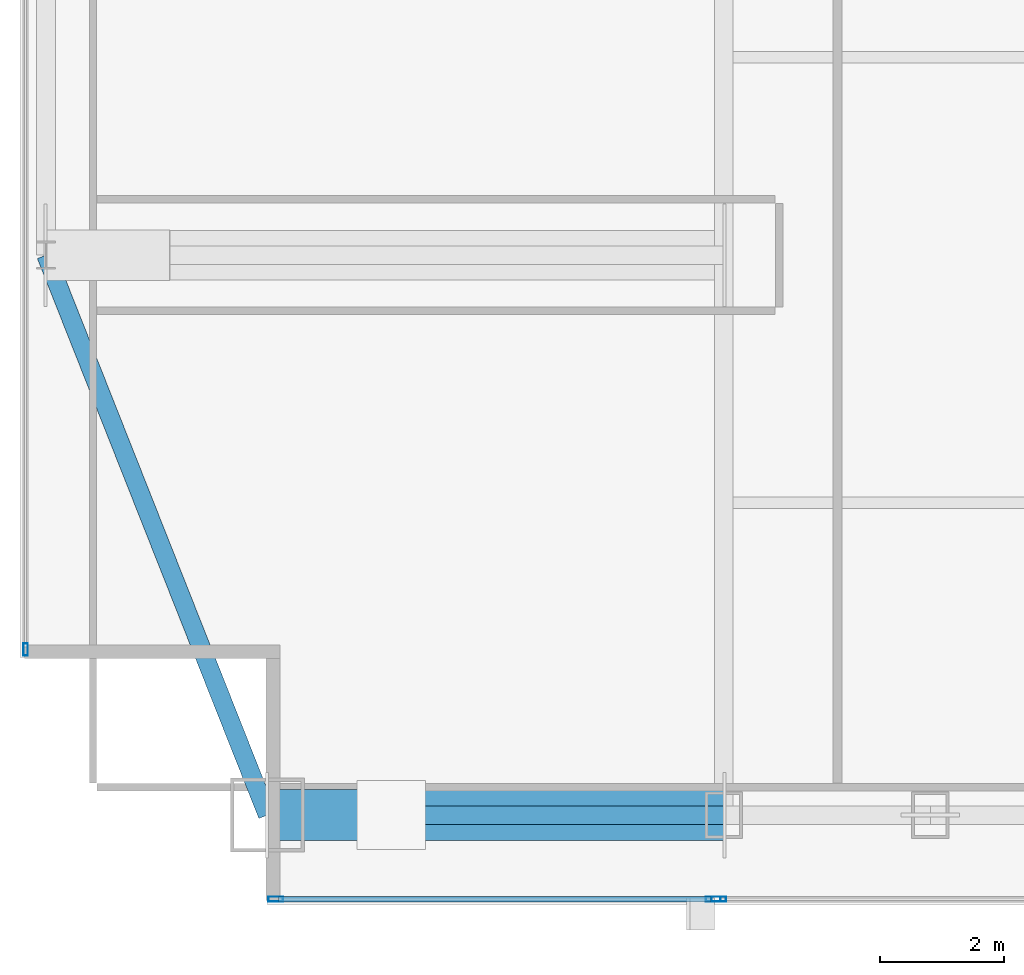
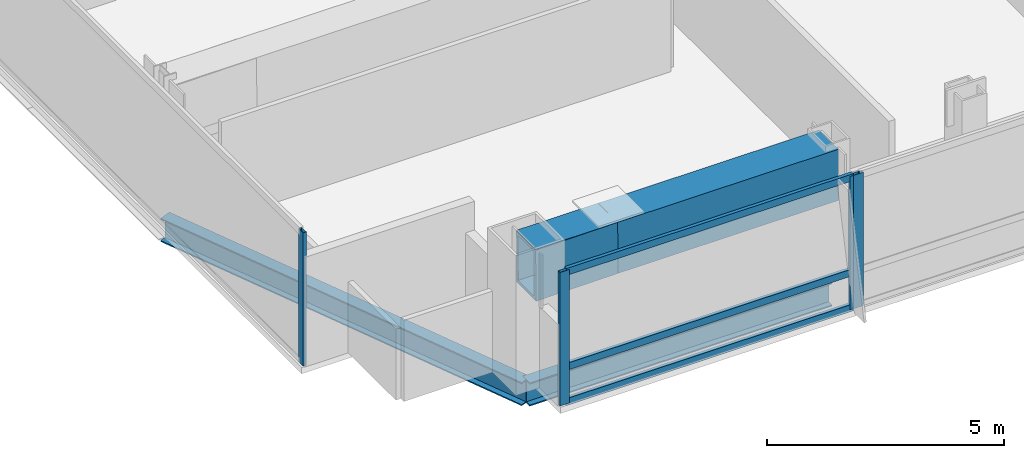
# One storey, part 5 of 26: 7 members, 4 beams, 3 elements without a shape of their own.
"""IFC4 building model written with IfcOpenShell, lengths in metres."""

from ifc_helpers import new_model, si_unit, direction, frame, origin, origin_2d, place, context, subcontext, project, spatial, hollow_rectangle, i_section, extrude, material, material_profile, profile_set, type_object, element, aggregate, save


model = new_model("IFC4")

# Units and contexts
model_context = context("Model", 3, precision=1e-05, world=origin(), true_north=direction((0.0, 1.0)))
body_context = subcontext(model_context, "Body", "Model", "MODEL_VIEW")
ifc_project = project(units=[si_unit("LENGTHUNIT", "METRE"), si_unit("AREAUNIT", "SQUARE_METRE"), si_unit("VOLUMEUNIT", "CUBIC_METRE"), si_unit("PLANEANGLEUNIT", "RADIAN"), si_unit("MASSUNIT", "GRAM", prefix="KILO")], contexts=[model_context])

# Site, building, storey
site_placement = place(None, origin())
site = spatial("IfcSite", under=ifc_project, at=site_placement, CompositionType="ELEMENT")
building_placement = place(site_placement, origin())
building = spatial("IfcBuilding", under=site, at=building_placement, Name="Khoronbel Lancet Exchange", CompositionType="ELEMENT")
storey_placement = place(building_placement, frame((0.0, 0.0, 235.39990234375)))
storey = spatial("IfcBuildingStorey", under=building, at=storey_placement, Name="L60", CompositionType="ELEMENT", Elevation=235.39990234375)

# Beams
ifc_material_1 = material(Name="Steel S355", Category="steel")
ifc_material_profile_1 = material_profile(ifc_material_1, i_section(OverallWidth=0.300048828125, OverallDepth=0.60009765625, WebThickness=0.015380859375, FlangeThickness=0.030029296875, at=origin_2d()), Name="HEB 600")
ifc_profile_set_1 = profile_set([ifc_material_profile_1], Name="Steel S355")
beam_type_1 = type_object("IfcBeamType", Name="BM-BSP2", PredefinedType="SPANDREL", material=ifc_profile_set_1)
beam_1_placement = place(storey_placement, frame((10.85009765625, 10.14990234375, -0.4599609375), z_axis=(1.0, 0.0, 0.0), x_axis=(0.0, 1.0, 0.0)))
element("IfcBeam", 1, at=beam_1_placement, inside=storey, type_object=beam_type_1, Name="Level L60 perimeter spandrel beam SP01", PredefinedType="SPANDREL", context=body_context, shape_type="SweptSolid", body=[
    extrude(i_section(OverallWidth=0.300048828125, OverallDepth=0.60009765625, WebThickness=0.015380859375, FlangeThickness=0.030029296875, at=origin_2d()), origin(), (0.0, 0.0, 1.0), 7.375),
])
beam_2_placement = place(storey_placement, frame((7.27001953125, 19.199951171875, -0.4599609375), z_axis=(0.367850095026, -0.92988510451, 0.0), x_axis=(0.92988510451, 0.367850095026, 0.0)))
element("IfcBeam", 2, at=beam_2_placement, inside=storey, type_object=beam_type_1, Name="Level L60 perimeter spandrel beam SP21", PredefinedType="SPANDREL", context=body_context, shape_type="SweptSolid", body=[
    extrude(i_section(OverallWidth=0.300048828125, OverallDepth=0.60009765625, WebThickness=0.015380859375, FlangeThickness=0.030029296875, at=origin_2d()), origin(), (0.0, 0.0, 1.0), 9.732421875),
])
ifc_material_2 = material(Name="Steel S460", Category="steel")
ifc_material_profile_2 = material_profile(ifc_material_2, hollow_rectangle(XDim=0.820068359375, YDim=1.320068359375, WallThickness=0.070068359375, at=origin_2d()), Name="BOX 820x1320x70")
ifc_profile_set_2 = profile_set([ifc_material_profile_2], Name="Steel S460")
beam_type_2 = type_object("IfcBeamType", Name="BM-TG4", PredefinedType="USERDEFINED", material=ifc_profile_set_2)
beam_3_placement = place(storey_placement, frame((10.85009765625, 10.14990234375, 2.760009765625), z_axis=(0.99994990606, 0.0, 0.010009264196), x_axis=(0.0, 1.0, 0.0)))
element("IfcBeam", 3, at=beam_3_placement, inside=storey, type_object=beam_type_2, Name="Setback transfer knee-brace girder L60-MC-SW", ObjectType="TRANSFER GIRDER", PredefinedType="USERDEFINED", context=body_context, shape_type="SweptSolid", body=[
    extrude(hollow_rectangle(XDim=0.820068359375, YDim=1.320068359375, WallThickness=0.070068359375, at=origin_2d()), origin(), (0.0, 0.0, 1.0), 2.0),
])
beam_4_placement = place(storey_placement, frame((10.85009765625, 10.14990234375, 2.780029296875), z_axis=(1.0, 0.0, 0.0), x_axis=(0.0, 1.0, 0.0)))
element("IfcBeam", 4, at=beam_4_placement, inside=storey, type_object=beam_type_2, Name="Corner mega-column setback transfer girder L60-SW", ObjectType="TRANSFER GIRDER", PredefinedType="USERDEFINED", context=body_context, shape_type="SweptSolid", body=[
    extrude(hollow_rectangle(XDim=0.820068359375, YDim=1.320068359375, WallThickness=0.070068359375, at=origin_2d()), origin(), (0.0, 0.0, 1.0), 7.375),
])

# Curtain wall, members
ifc_material_3 = material(Name="Low-E Solar Control Insulating Glass", Category="glass")
curtain_wall_type_1 = type_object("IfcCurtainWallType", Name="CW-3", PredefinedType="NOTDEFINED", material=ifc_material_3)
curtain_wall_1_placement = place(storey_placement, origin())
curtain_wall_1 = element("IfcCurtainWall", 5, at=curtain_wall_1_placement, inside=storey, type_object=curtain_wall_type_1, Name="Unitised curtain wall CW-L60-SWV", PredefinedType="NOTDEFINED")
ifc_material_4 = material(Name="Bronze-Anodised Aluminium 6063-T6", Category="aluminium")
ifc_material_profile_3 = material_profile(ifc_material_4, hollow_rectangle(XDim=0.0849609375, YDim=0.239990234375, WallThickness=0.006103515625, at=origin_2d()), Name="ALU MULLION 85x240")
ifc_profile_set_3 = profile_set([ifc_material_profile_3], Name="Bronze-Anodised Aluminium 6063-T6")
member_type_1 = type_object("IfcMemberType", Name="MEM-CWM1", PredefinedType="MULLION", material=ifc_profile_set_3)
member_1_placement = place(storey_placement, frame((10.982421875, 8.7900390625, 0.0), z_axis=(0.0, 0.0, 1.0), x_axis=(0.0, 1.0, 0.0)))
member_1 = element("IfcMember", 6, at=member_1_placement, type_object=member_type_1, Name="CW3 mullion 1", PredefinedType="MULLION", context=body_context, shape_type="SweptSolid", body=[
    extrude(hollow_rectangle(XDim=0.0849609375, YDim=0.239990234375, WallThickness=0.006103515625, at=origin_2d()), origin(), (0.0, 0.0, 1.0), 3.440185546875),
])
member_2_placement = place(storey_placement, frame((18.0576171875, 8.7900390625, 0.0), z_axis=(0.0, 0.0, 1.0), x_axis=(0.0, 1.0, 0.0)))
member_2 = element("IfcMember", 7, at=member_2_placement, type_object=member_type_1, Name="CW3 mullion 2", PredefinedType="MULLION", context=body_context, shape_type="SweptSolid", body=[
    extrude(hollow_rectangle(XDim=0.0849609375, YDim=0.239990234375, WallThickness=0.006103515625, at=origin_2d()), origin(), (0.0, 0.0, 1.0), 3.440185546875),
])

# Curtain wall, member
curtain_wall_2_placement = place(storey_placement, origin())
curtain_wall_2 = element("IfcCurtainWall", 8, at=curtain_wall_2_placement, inside=storey, type_object=curtain_wall_type_1, Name="Unitised curtain wall CW-L60-SWB", PredefinedType="NOTDEFINED")
member_3_placement = place(storey_placement, frame((18.142578125, 8.7900390625, 0.0), z_axis=(0.0, 0.0, 1.0), x_axis=(0.0, 1.0, 0.0)))
member_3 = element("IfcMember", 9, at=member_3_placement, type_object=member_type_1, Name="CW3 mullion 1", PredefinedType="MULLION", context=body_context, shape_type="SweptSolid", body=[
    extrude(hollow_rectangle(XDim=0.0849609375, YDim=0.239990234375, WallThickness=0.006103515625, at=origin_2d()), origin(), (0.0, 0.0, 1.0), 3.440185546875),
])
aggregate(curtain_wall_2, [member_3])

curtain_wall_type_2 = type_object("IfcCurtainWallType", Name="CW-4", PredefinedType="NOTDEFINED", material=ifc_material_3)
curtain_wall_3_placement = place(storey_placement, origin())
curtain_wall_3 = element("IfcCurtainWall", 10, at=curtain_wall_3_placement, inside=storey, type_object=curtain_wall_type_2, Name="Unitised curtain wall CW-L60-E03", PredefinedType="NOTDEFINED")
ifc_material_profile_4 = material_profile(ifc_material_4, hollow_rectangle(XDim=0.074951171875, YDim=0.199951171875, WallThickness=0.0048828125, at=origin_2d()), Name="ALU MULLION 75x200")
ifc_profile_set_4 = profile_set([ifc_material_profile_4], Name="Bronze-Anodised Aluminium 6063-T6")
member_type_2 = type_object("IfcMemberType", Name="MEM-CWM2", PredefinedType="MULLION", material=ifc_profile_set_4)
member_4_placement = place(storey_placement, frame((6.93994140625, 12.827392578125, 0.0), z_axis=(0.0, 0.0, 1.0), x_axis=(-1.0, 0.0, 0.0)))
member_4 = element("IfcMember", 11, at=member_4_placement, type_object=member_type_2, Name="CW4 mullion 1", PredefinedType="MULLION", context=body_context, shape_type="SweptSolid", body=[
    extrude(hollow_rectangle(XDim=0.074951171875, YDim=0.199951171875, WallThickness=0.0048828125, at=origin_2d()), origin(), (0.0, 0.0, 1.0), 3.440185546875),
])
aggregate(curtain_wall_3, [member_4])

# Member
ifc_material_profile_5 = material_profile(ifc_material_4, hollow_rectangle(XDim=0.0849609375, YDim=0.179931640625, WallThickness=0.0048828125, at=origin_2d()), Name="ALU TRANSOM 85x180")
ifc_profile_set_5 = profile_set([ifc_material_profile_5], Name="Bronze-Anodised Aluminium 6063-T6")
member_type_3 = type_object("IfcMemberType", Name="MEM-CWT1", PredefinedType="USERDEFINED", material=ifc_profile_set_5)
member_5_placement = place(storey_placement, frame((11.02490234375, 8.7900390625, 0.04248046875), z_axis=(1.0, 0.0, 0.0), x_axis=(0.0, 1.0, 0.0)))
member_5 = element("IfcMember", 12, at=member_5_placement, type_object=member_type_3, Name="CW3 transom 1.1", ObjectType="TRANSOM", PredefinedType="USERDEFINED", context=body_context, shape_type="SweptSolid", body=[
    extrude(hollow_rectangle(XDim=0.0849609375, YDim=0.179931640625, WallThickness=0.0048828125, at=origin_2d()), origin(), (0.0, 0.0, 1.0), 6.989990234375),
])

member_6_placement = place(storey_placement, frame((11.02490234375, 8.7900390625, 0.9501953125), z_axis=(1.0, 0.0, 0.0), x_axis=(0.0, 1.0, 0.0)))
member_6 = element("IfcMember", 13, at=member_6_placement, type_object=member_type_3, Name="CW3 transom 1.2", ObjectType="TRANSOM", PredefinedType="USERDEFINED", context=body_context, shape_type="SweptSolid", body=[
    extrude(hollow_rectangle(XDim=0.0849609375, YDim=0.179931640625, WallThickness=0.0048828125, at=origin_2d()), origin(), (0.0, 0.0, 1.0), 6.989990234375),
])

member_7_placement = place(storey_placement, frame((11.02490234375, 8.7900390625, 3.397705078125), z_axis=(1.0, 0.0, 0.0), x_axis=(0.0, 1.0, 0.0)))
member_7 = element("IfcMember", 14, at=member_7_placement, type_object=member_type_3, Name="CW3 transom 1.3", ObjectType="TRANSOM", PredefinedType="USERDEFINED", context=body_context, shape_type="SweptSolid", body=[
    extrude(hollow_rectangle(XDim=0.0849609375, YDim=0.179931640625, WallThickness=0.0048828125, at=origin_2d()), origin(), (0.0, 0.0, 1.0), 6.989990234375),
])

aggregate(curtain_wall_1, [member_1, member_2, member_5, member_6, member_7])

save(model, "model.ifc")
